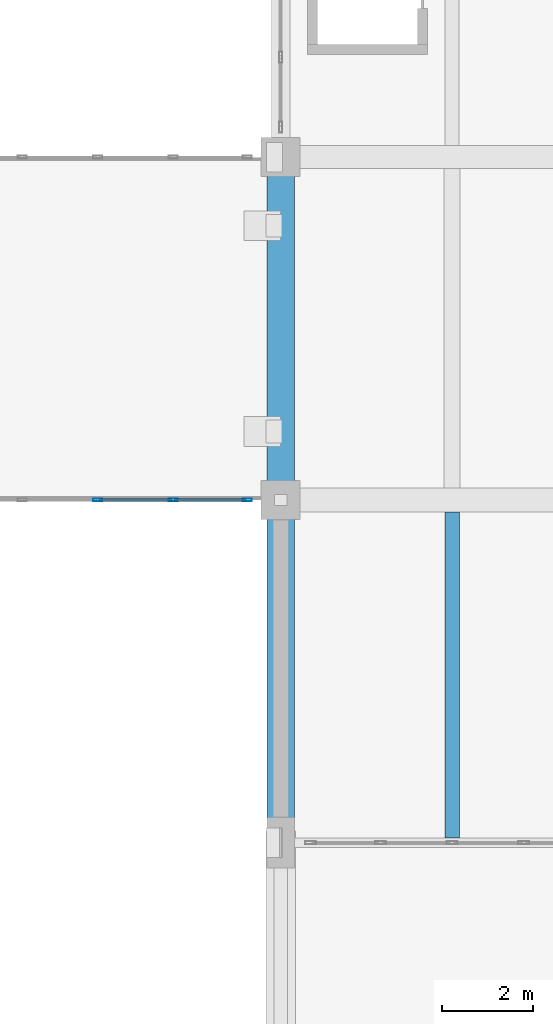
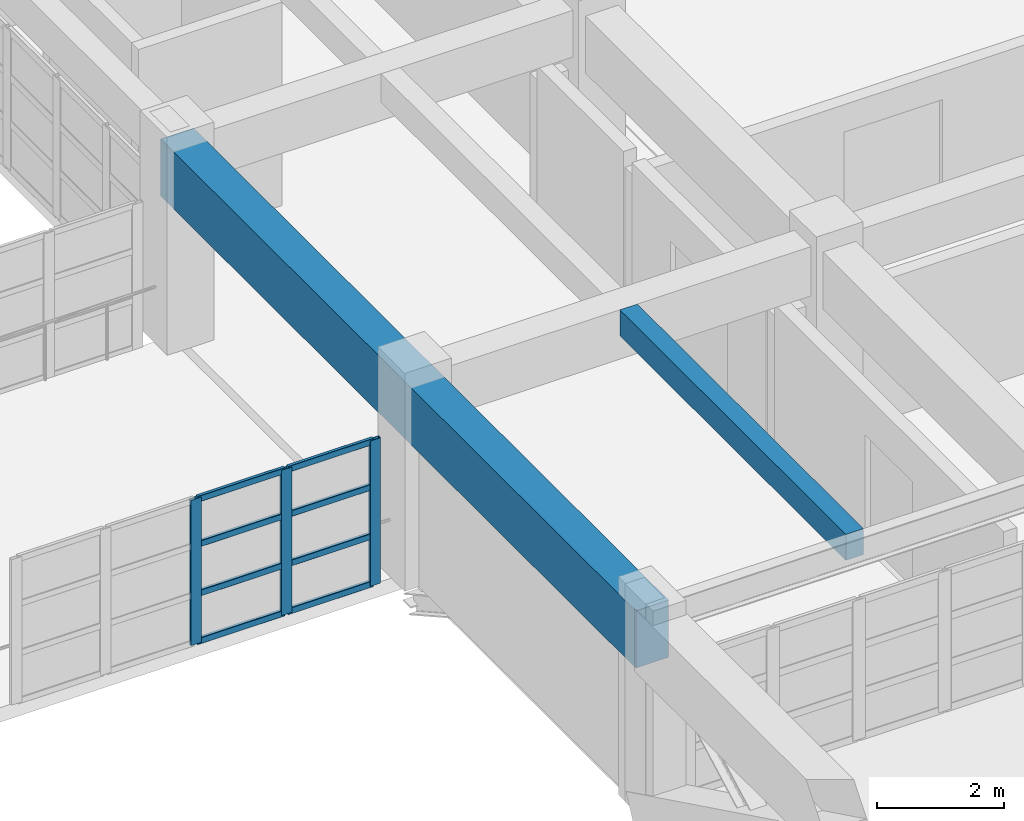
# One storey, part 14 of 132: 11 members, 2 beams, 1 element without a shape of its own.
"""IFC4 building model written with IfcOpenShell, lengths in metres."""

from ifc_helpers import new_model, si_unit, direction, frame, origin, origin_2d, place, context, subcontext, project, spatial, rectangle, hollow_rectangle, extrude, material, material_profile, profile_set, type_object, element, aggregate, save


model = new_model("IFC4")

# Units and contexts
model_context = context("Model", 3, precision=1e-05, world=origin(), true_north=direction((0.0, 1.0)))
body_context = subcontext(model_context, "Body", "Model", "MODEL_VIEW")
ifc_project = project(units=[si_unit("LENGTHUNIT", "METRE"), si_unit("AREAUNIT", "SQUARE_METRE"), si_unit("VOLUMEUNIT", "CUBIC_METRE"), si_unit("PLANEANGLEUNIT", "RADIAN"), si_unit("MASSUNIT", "GRAM", prefix="KILO")], contexts=[model_context])

# Site, building, storey
site_placement = place(None, origin())
site = spatial("IfcSite", under=ifc_project, at=site_placement, CompositionType="ELEMENT")
building_placement = place(site_placement, origin())
building = spatial("IfcBuilding", under=site, at=building_placement, Name="Qasida Concert Hall", CompositionType="ELEMENT")
storey_placement = place(building_placement, frame((0.0, 0.0, 4.800048828125)))
storey = spatial("IfcBuildingStorey", under=building, at=storey_placement, Name="L01", CompositionType="ELEMENT", Elevation=4.800048828125)

# Beams
ifc_material_1 = material(Name="Concrete C50/60", Category="concrete")
ifc_material_profile_1 = material_profile(ifc_material_1, rectangle(XDim=0.60009765625, YDim=1.10009765625, at=origin_2d()), Name="RC 600x1100")
ifc_profile_set_1 = profile_set([ifc_material_profile_1], Name="Concrete C50/60")
beam_type_1 = type_object("IfcBeamType", Name="BM-G4", PredefinedType="USERDEFINED", material=ifc_profile_set_1)
beam_1_placement = place(storey_placement, frame((52.5, 22.5, 3.320068359375), z_axis=(0.0, 1.0, 0.0), x_axis=(-1.0, 0.0, 0.0)))
element("IfcBeam", 1, at=beam_1_placement, inside=storey, type_object=beam_type_1, Name="Cantilever backspan girder CGB-001", ObjectType="GIRDER", PredefinedType="USERDEFINED", context=body_context, shape_type="SweptSolid", body=[
    extrude(rectangle(XDim=0.60009765625, YDim=1.10009765625, at=origin_2d()), origin(), (0.0, 0.0, 1.0), 15.0),
])
ifc_material_2 = material(Name="Concrete C40/50", Category="concrete")
ifc_material_profile_2 = material_profile(ifc_material_2, rectangle(XDim=0.320068359375, YDim=0.5, at=origin_2d()), Name="RC 320x500")
ifc_profile_set_2 = profile_set([ifc_material_profile_2], Name="Concrete C40/50")
beam_type_2 = type_object("IfcBeamType", Name="BM-J7", PredefinedType="JOIST", material=ifc_profile_set_2)
beam_2_placement = place(storey_placement, frame((56.25, 22.60498046875, 3.669921875), z_axis=(0.0, 1.0, 0.0), x_axis=(-1.0, 0.0, 0.0)))
element("IfcBeam", 2, at=beam_2_placement, inside=storey, type_object=beam_type_2, Name="L01 secondary joist 0830", PredefinedType="JOIST", context=body_context, shape_type="SweptSolid", body=[
    extrude(rectangle(XDim=0.320068359375, YDim=0.5, at=origin_2d()), origin(), (0.0, 0.0, 1.0), 7.135009765625),
])

# Curtain wall, members
ifc_material_3 = material(Name="Architectural bronze-anodized aluminium and low-E glass", Category="aluminium")
curtain_wall_type = type_object("IfcCurtainWallType", Name="CW-08", PredefinedType="NOTDEFINED", material=ifc_material_3)
curtain_wall_placement = place(storey_placement, origin())
curtain_wall = element("IfcCurtainWall", 3, at=curtain_wall_placement, inside=storey, type_object=curtain_wall_type, Name="L01 link bridge glazing 0200", PredefinedType="NOTDEFINED")
ifc_material_4 = material(Name="Architectural bronze-anodized aluminium EN AW-6063", Category="aluminium")
ifc_material_profile_3 = material_profile(ifc_material_4, hollow_rectangle(XDim=0.06494140625, YDim=0.199951171875, WallThickness=0.0048828125, InnerFilletRadius=0.0048828125, OuterFilletRadius=0.010009765625, at=origin_2d()), Name="CWM 200x65x5")
ifc_profile_set_3 = profile_set([ifc_material_profile_3], Name="Architectural bronze-anodized aluminium EN AW-6063")
member_type_1 = type_object("IfcMemberType", Name="MB-CWM-2", PredefinedType="MULLION", material=ifc_profile_set_3)
member_1_placement = place(storey_placement, frame((48.5, 30.0, 0.0), z_axis=(0.0, 0.0, 1.0), x_axis=(0.0, 1.0, 0.0)))
member_1 = element("IfcMember", 4, at=member_1_placement, type_object=member_type_1, Name="CW-08 mullion 3", PredefinedType="MULLION", context=body_context, shape_type="SweptSolid", body=[
    extrude(hollow_rectangle(XDim=0.06494140625, YDim=0.199951171875, WallThickness=0.0048828125, InnerFilletRadius=0.0048828125, OuterFilletRadius=0.010009765625, at=origin_2d()), origin(), (0.0, 0.0, 1.0), 2.800048828125),
])
member_2_placement = place(storey_placement, frame((50.14990234375, 30.0, 0.0), z_axis=(0.0, 0.0, 1.0), x_axis=(0.0, 1.0, 0.0)))
member_2 = element("IfcMember", 5, at=member_2_placement, type_object=member_type_1, Name="CW-08 mullion 4", PredefinedType="MULLION", context=body_context, shape_type="SweptSolid", body=[
    extrude(hollow_rectangle(XDim=0.06494140625, YDim=0.199951171875, WallThickness=0.0048828125, InnerFilletRadius=0.0048828125, OuterFilletRadius=0.010009765625, at=origin_2d()), origin(), (0.0, 0.0, 1.0), 2.800048828125),
])
member_3_placement = place(storey_placement, frame((51.767578125, 30.0, 0.0), z_axis=(0.0, 0.0, 1.0), x_axis=(0.0, 1.0, 0.0)))
member_3 = element("IfcMember", 6, at=member_3_placement, type_object=member_type_1, Name="CW-08 mullion 5", PredefinedType="MULLION", context=body_context, shape_type="SweptSolid", body=[
    extrude(hollow_rectangle(XDim=0.06494140625, YDim=0.199951171875, WallThickness=0.0048828125, InnerFilletRadius=0.0048828125, OuterFilletRadius=0.010009765625, at=origin_2d()), origin(), (0.0, 0.0, 1.0), 2.800048828125),
])
ifc_material_profile_4 = material_profile(ifc_material_4, hollow_rectangle(XDim=0.06005859375, YDim=0.1201171875, WallThickness=0.00390625, InnerFilletRadius=0.00390625, OuterFilletRadius=0.008056640625, at=origin_2d()), Name="CWT 120x60x4")
ifc_profile_set_4 = profile_set([ifc_material_profile_4], Name="Architectural bronze-anodized aluminium EN AW-6063")
member_type_2 = type_object("IfcMemberType", Name="MB-CWT-2", PredefinedType="USERDEFINED", material=ifc_profile_set_4)
member_4_placement = place(storey_placement, frame((48.532470703125, 30.0, 0.030029296875), z_axis=(1.0, 0.0, 0.0), x_axis=(0.0, 1.0, 0.0)))
member_4 = element("IfcMember", 7, at=member_4_placement, type_object=member_type_2, Name="CW-08 transom 3.1", ObjectType="TRANSOM", PredefinedType="USERDEFINED", context=body_context, shape_type="SweptSolid", body=[
    extrude(hollow_rectangle(XDim=0.06005859375, YDim=0.1201171875, WallThickness=0.00390625, InnerFilletRadius=0.00390625, OuterFilletRadius=0.008056640625, at=origin_2d()), origin(), (0.0, 0.0, 1.0), 1.5849609375),
])
member_5_placement = place(storey_placement, frame((48.532470703125, 30.0, 0.949951171875), z_axis=(1.0, 0.0, 0.0), x_axis=(0.0, 1.0, 0.0)))
member_5 = element("IfcMember", 8, at=member_5_placement, type_object=member_type_2, Name="CW-08 transom 3.2", ObjectType="TRANSOM", PredefinedType="USERDEFINED", context=body_context, shape_type="SweptSolid", body=[
    extrude(hollow_rectangle(XDim=0.06005859375, YDim=0.1201171875, WallThickness=0.00390625, InnerFilletRadius=0.00390625, OuterFilletRadius=0.008056640625, at=origin_2d()), origin(), (0.0, 0.0, 1.0), 1.5849609375),
])
member_6_placement = place(storey_placement, frame((48.532470703125, 30.0, 1.89990234375), z_axis=(1.0, 0.0, 0.0), x_axis=(0.0, 1.0, 0.0)))
member_6 = element("IfcMember", 9, at=member_6_placement, type_object=member_type_2, Name="CW-08 transom 3.3", ObjectType="TRANSOM", PredefinedType="USERDEFINED", context=body_context, shape_type="SweptSolid", body=[
    extrude(hollow_rectangle(XDim=0.06005859375, YDim=0.1201171875, WallThickness=0.00390625, InnerFilletRadius=0.00390625, OuterFilletRadius=0.008056640625, at=origin_2d()), origin(), (0.0, 0.0, 1.0), 1.5849609375),
])
member_7_placement = place(storey_placement, frame((48.532470703125, 30.0, 2.77001953125), z_axis=(1.0, 0.0, 0.0), x_axis=(0.0, 1.0, 0.0)))
member_7 = element("IfcMember", 10, at=member_7_placement, type_object=member_type_2, Name="CW-08 transom 3.4", ObjectType="TRANSOM", PredefinedType="USERDEFINED", context=body_context, shape_type="SweptSolid", body=[
    extrude(hollow_rectangle(XDim=0.06005859375, YDim=0.1201171875, WallThickness=0.00390625, InnerFilletRadius=0.00390625, OuterFilletRadius=0.008056640625, at=origin_2d()), origin(), (0.0, 0.0, 1.0), 1.5849609375),
])
member_8_placement = place(storey_placement, frame((50.1826171875, 30.0, 0.030029296875), z_axis=(1.0, 0.0, 0.0), x_axis=(0.0, 1.0, 0.0)))
member_8 = element("IfcMember", 11, at=member_8_placement, type_object=member_type_2, Name="CW-08 transom 4.1", ObjectType="TRANSOM", PredefinedType="USERDEFINED", context=body_context, shape_type="SweptSolid", body=[
    extrude(hollow_rectangle(XDim=0.06005859375, YDim=0.1201171875, WallThickness=0.00390625, InnerFilletRadius=0.00390625, OuterFilletRadius=0.008056640625, at=origin_2d()), origin(), (0.0, 0.0, 1.0), 1.552490234375),
])
member_9_placement = place(storey_placement, frame((50.1826171875, 30.0, 0.949951171875), z_axis=(1.0, 0.0, 0.0), x_axis=(0.0, 1.0, 0.0)))
member_9 = element("IfcMember", 12, at=member_9_placement, type_object=member_type_2, Name="CW-08 transom 4.2", ObjectType="TRANSOM", PredefinedType="USERDEFINED", context=body_context, shape_type="SweptSolid", body=[
    extrude(hollow_rectangle(XDim=0.06005859375, YDim=0.1201171875, WallThickness=0.00390625, InnerFilletRadius=0.00390625, OuterFilletRadius=0.008056640625, at=origin_2d()), origin(), (0.0, 0.0, 1.0), 1.552490234375),
])
member_10_placement = place(storey_placement, frame((50.1826171875, 30.0, 1.89990234375), z_axis=(1.0, 0.0, 0.0), x_axis=(0.0, 1.0, 0.0)))
member_10 = element("IfcMember", 13, at=member_10_placement, type_object=member_type_2, Name="CW-08 transom 4.3", ObjectType="TRANSOM", PredefinedType="USERDEFINED", context=body_context, shape_type="SweptSolid", body=[
    extrude(hollow_rectangle(XDim=0.06005859375, YDim=0.1201171875, WallThickness=0.00390625, InnerFilletRadius=0.00390625, OuterFilletRadius=0.008056640625, at=origin_2d()), origin(), (0.0, 0.0, 1.0), 1.552490234375),
])
member_11_placement = place(storey_placement, frame((50.1826171875, 30.0, 2.77001953125), z_axis=(1.0, 0.0, 0.0), x_axis=(0.0, 1.0, 0.0)))
member_11 = element("IfcMember", 14, at=member_11_placement, type_object=member_type_2, Name="CW-08 transom 4.4", ObjectType="TRANSOM", PredefinedType="USERDEFINED", context=body_context, shape_type="SweptSolid", body=[
    extrude(hollow_rectangle(XDim=0.06005859375, YDim=0.1201171875, WallThickness=0.00390625, InnerFilletRadius=0.00390625, OuterFilletRadius=0.008056640625, at=origin_2d()), origin(), (0.0, 0.0, 1.0), 1.552490234375),
])
aggregate(curtain_wall, [member_1, member_2, member_3, member_4, member_5, member_6, member_7, member_8, member_9, member_10, member_11])

save(model, "model.ifc")
